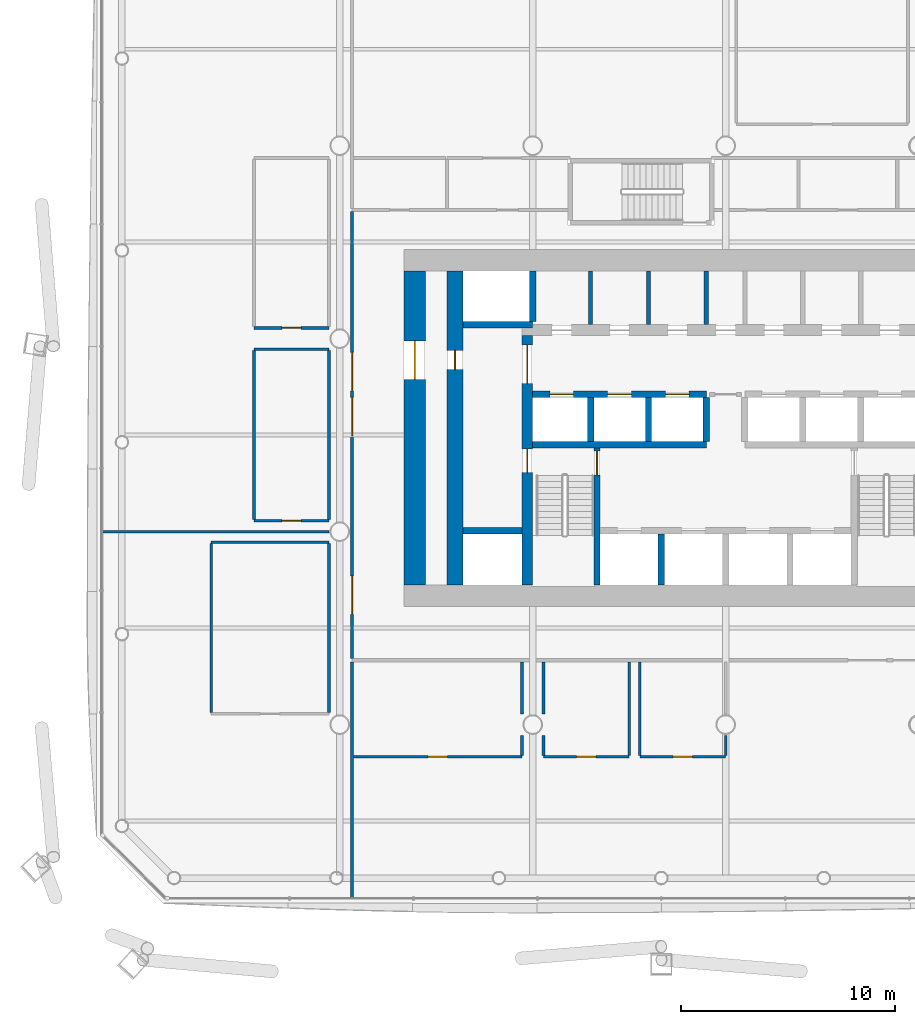
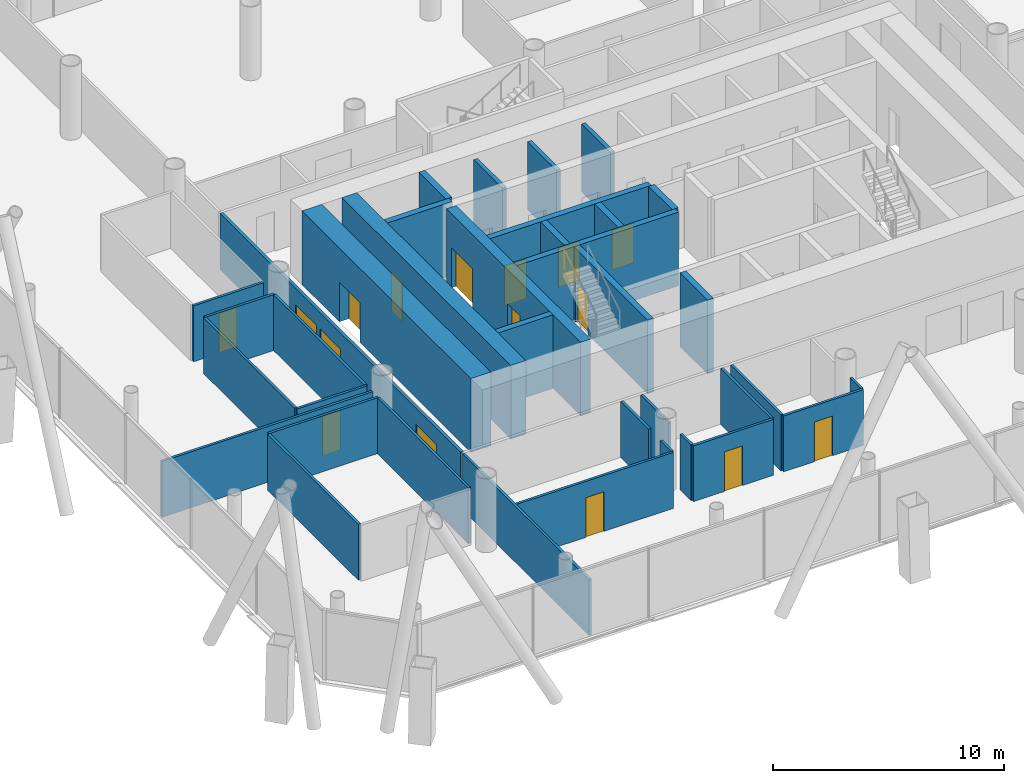
# One storey, part 13 of 21: 37 walls, 16 doors, 16 openings.
"""IFC4 building model written with IfcOpenShell, lengths in metres."""

from ifc_helpers import new_model, si_unit, direction, frame, frame_2d, origin, place, context, subcontext, project, spatial, rectangle, extrude, material, layer, layer_set, type_object, element, fill, save


model = new_model("IFC4")

# Units and contexts
model_context = context("Model", 3, precision=1e-05, world=origin(), true_north=direction((0.0, 1.0)))
body_context = subcontext(model_context, "Body", "Model", "MODEL_VIEW")
ifc_project = project(units=[si_unit("LENGTHUNIT", "METRE"), si_unit("AREAUNIT", "SQUARE_METRE"), si_unit("VOLUMEUNIT", "CUBIC_METRE"), si_unit("PLANEANGLEUNIT", "RADIAN"), si_unit("MASSUNIT", "GRAM", prefix="KILO")], contexts=[model_context])

# Site, building, storey
site_placement = place(None, origin())
site = spatial("IfcSite", under=ifc_project, at=site_placement, CompositionType="ELEMENT")
building_placement = place(site_placement, origin())
building = spatial("IfcBuilding", under=site, at=building_placement, Name="Tskaro Facet Tower", CompositionType="ELEMENT")
storey_placement = place(building_placement, frame((0.0, 0.0, 45.89990234375)))
storey = spatial("IfcBuildingStorey", under=building, at=storey_placement, Name="L10", CompositionType="ELEMENT", Elevation=45.89990234375)

# Walls
ifc_material_1 = material(Name="Concrete C60/75", Category="concrete")
ifc_layer_1 = layer(ifc_material_1, 0.300048828125, Name="Concrete C60/75")
ifc_layer_set_1 = layer_set([ifc_layer_1], Name="Concrete C60/75")
wall_type_1 = type_object("IfcWallType", Name="CORE-SHAFT", PredefinedType="SHEAR", material=ifc_layer_set_1)
wall_1_placement = place(storey_placement, frame((-12.25, -8.949951171875, 0.0), z_axis=(0.0, 0.0, 1.0), x_axis=(1.0, 0.0, 0.0)))
element("IfcWall", 1, at=wall_1_placement, inside=storey, type_object=wall_type_1, Name="Shaft wall W008", PredefinedType="SHEAR", context=body_context, shape_type="SweptSolid", body=[
    extrude(rectangle(XDim=2.75, YDim=0.300048828125, at=frame_2d((1.375, 0.0))), origin(), (0.0, 0.0, 1.0), 3.900146484375),
])
wall_2_placement = place(storey_placement, frame((-9.0, -4.949951171875, 0.0), z_axis=(0.0, 0.0, 1.0), x_axis=(1.0, 0.0, 0.0)))
element("IfcWall", 2, at=wall_2_placement, inside=storey, type_object=wall_type_1, Name="Shaft wall W012", PredefinedType="SHEAR", context=body_context, shape_type="SweptSolid", body=[
    extrude(rectangle(XDim=8.10009765625, YDim=0.300048828125, at=frame_2d((4.050048828125, 0.0))), origin(), (0.0, 0.0, 1.0), 3.900146484375),
])

# Wall, openings, doors
wall_3_placement = place(storey_placement, frame((-9.0, -2.60009765625, 0.0), z_axis=(0.0, 0.0, 1.0), x_axis=(1.0, 0.0, 0.0)))
wall_3 = element("IfcWall", 3, at=wall_3_placement, inside=storey, type_object=wall_type_1, Name="Shaft wall W014", PredefinedType="SHEAR", context=body_context, shape_type="SweptSolid", body=[
    extrude(rectangle(XDim=8.10009765625, YDim=0.300048828125, at=frame_2d((4.050048828125, 0.0))), origin(), (0.0, 0.0, 1.0), 3.900146484375),
])
opening_1_placement = place(wall_3_placement, frame((0.800048828125, 0.0, 0.0)))
opening_1 = element("IfcOpeningElement", 4, at=opening_1_placement, cuts=wall_3, Name="Opening LD-LR1", PredefinedType="OPENING", context=body_context, shape_type="SweptSolid", body=[
    extrude(rectangle(XDim=1.10009765625, YDim=2.10009765625, at=frame_2d((0.550048828125, 1.050048828125))), frame((0.0, 0.159912109375, 0.0), z_axis=(0.0, -1.0, 0.0), x_axis=(1.0, 0.0, 0.0)), (0.0, 0.0, 1.0), 0.320068359375),
])
opening_2_placement = place(wall_3_placement, frame((3.5, 0.0, 0.0)))
opening_2 = element("IfcOpeningElement", 5, at=opening_2_placement, cuts=wall_3, Name="Opening LD-LR2", PredefinedType="OPENING", context=body_context, shape_type="SweptSolid", body=[
    extrude(rectangle(XDim=1.10009765625, YDim=2.10009765625, at=frame_2d((0.550048828125, 1.050048828125))), frame((0.0, 0.159912109375, 0.0), z_axis=(0.0, -1.0, 0.0), x_axis=(1.0, 0.0, 0.0)), (0.0, 0.0, 1.0), 0.320068359375),
])
opening_3_placement = place(wall_3_placement, frame((6.199951171875, 0.0, 0.0)))
opening_3 = element("IfcOpeningElement", 6, at=opening_3_placement, cuts=wall_3, Name="Opening LD-LR3", PredefinedType="OPENING", context=body_context, shape_type="SweptSolid", body=[
    extrude(rectangle(XDim=1.10009765625, YDim=2.10009765625, at=frame_2d((0.550048828125, 1.050048828125))), frame((0.0, 0.159912109375, 0.0), z_axis=(0.0, -1.0, 0.0), x_axis=(1.0, 0.0, 0.0)), (0.0, 0.0, 1.0), 0.320068359375),
])
ifc_material_2 = material(Name="Stainless steel", Category="steel")
door_type_1 = type_object("IfcDoorType", Name="D-LANDING", OperationType="NOTDEFINED", PredefinedType="DOOR", material=ifc_material_2)
door_1_placement = place(opening_1_placement, origin())
door_1 = element("IfcDoor", 7, at=door_1_placement, inside=storey, type_object=door_type_1, Name="Landing door LR1", OperationType="DOUBLE_DOOR_SLIDING", OverallHeight=2.10009765625, OverallWidth=1.10009765625, PredefinedType="DOOR", context=body_context, shape_type="SweptSolid", body=[
    extrude(rectangle(XDim=1.10009765625, YDim=2.10009765625, at=frame_2d((0.550048828125, 1.050048828125))), frame((0.0, 0.02490234375, 0.0), z_axis=(0.0, -1.0, 0.0), x_axis=(1.0, 0.0, 0.0)), (0.0, 0.0, 1.0), 0.050048828125),
])
fill(opening_1, door_1)
door_2_placement = place(opening_2_placement, origin())
door_2 = element("IfcDoor", 8, at=door_2_placement, inside=storey, type_object=door_type_1, Name="Landing door LR2", OperationType="DOUBLE_DOOR_SLIDING", OverallHeight=2.10009765625, OverallWidth=1.10009765625, PredefinedType="DOOR", context=body_context, shape_type="SweptSolid", body=[
    extrude(rectangle(XDim=1.10009765625, YDim=2.10009765625, at=frame_2d((0.550048828125, 1.050048828125))), frame((0.0, 0.02490234375, 0.0), z_axis=(0.0, -1.0, 0.0), x_axis=(1.0, 0.0, 0.0)), (0.0, 0.0, 1.0), 0.050048828125),
])
fill(opening_2, door_2)
door_3_placement = place(opening_3_placement, origin())
door_3 = element("IfcDoor", 9, at=door_3_placement, inside=storey, type_object=door_type_1, Name="Landing door LR3", OperationType="DOUBLE_DOOR_SLIDING", OverallHeight=2.10009765625, OverallWidth=1.10009765625, PredefinedType="DOOR", context=body_context, shape_type="SweptSolid", body=[
    extrude(rectangle(XDim=1.10009765625, YDim=2.10009765625, at=frame_2d((0.550048828125, 1.050048828125))), frame((0.0, 0.02490234375, 0.0), z_axis=(0.0, -1.0, 0.0), x_axis=(1.0, 0.0, 0.0)), (0.0, 0.0, 1.0), 0.050048828125),
])
fill(opening_3, door_3)

# Walls
wall_4_placement = place(storey_placement, frame((-9.0, 0.64990234375, 0.0), z_axis=(0.0, 0.0, 1.0), x_axis=(-1.0, 0.0, 0.0)))
element("IfcWall", 10, at=wall_4_placement, inside=storey, type_object=wall_type_1, Name="Shaft wall W021", PredefinedType="SHEAR", context=body_context, shape_type="SweptSolid", body=[
    extrude(rectangle(XDim=3.25, YDim=0.300048828125, at=frame_2d((1.625, 0.0))), origin(), (0.0, 0.0, 1.0), 3.900146484375),
])
wall_5_placement = place(storey_placement, frame((-9.0, 0.800048828125, 0.0), z_axis=(0.0, 0.0, 1.0), x_axis=(0.0, 1.0, 0.0)))
element("IfcWall", 11, at=wall_5_placement, inside=storey, type_object=wall_type_1, Name="Shaft wall W049", PredefinedType="SHEAR", context=body_context, shape_type="SweptSolid", body=[
    extrude(rectangle(XDim=2.349853515625, YDim=0.300048828125, at=frame_2d((1.1748046875, 0.0))), origin(), (0.0, 0.0, 1.0), 3.900146484375),
])
wall_6_placement = place(storey_placement, frame((-6.300048828125, -4.800048828125, 0.0), z_axis=(0.0, 0.0, 1.0), x_axis=(0.0, 1.0, 0.0)))
element("IfcWall", 12, at=wall_6_placement, inside=storey, type_object=wall_type_1, Name="Shaft wall W053", PredefinedType="SHEAR", context=body_context, shape_type="SweptSolid", body=[
    extrude(rectangle(XDim=2.050048828125, YDim=0.300048828125, at=frame_2d((1.02490234375, 0.0))), origin(), (0.0, 0.0, 1.0), 3.900146484375),
])

# Wall, opening, door
wall_7_placement = place(storey_placement, frame((-6.0, -11.5, 0.0), z_axis=(0.0, 0.0, 1.0), x_axis=(0.0, 1.0, 0.0)))
wall_7 = element("IfcWall", 13, at=wall_7_placement, inside=storey, type_object=wall_type_1, Name="Shaft wall W055", PredefinedType="SHEAR", context=body_context, shape_type="SweptSolid", body=[
    extrude(rectangle(XDim=6.39990234375, YDim=0.300048828125, at=frame_2d((3.199951171875, 0.0))), origin(), (0.0, 0.0, 1.0), 3.900146484375),
])
opening_4_placement = place(wall_7_placement, frame((5.14990234375, 0.0, 0.0)))
opening_4 = element("IfcOpeningElement", 14, at=opening_4_placement, cuts=wall_7, Name="Opening ST-1-D1", PredefinedType="OPENING", context=body_context, shape_type="SweptSolid", body=[
    extrude(rectangle(XDim=1.10009765625, YDim=2.10009765625, at=frame_2d((0.550048828125, 1.050048828125))), frame((0.0, 0.159912109375, 0.0), z_axis=(0.0, -1.0, 0.0), x_axis=(1.0, 0.0, 0.0)), (0.0, 0.0, 1.0), 0.320068359375),
])
ifc_material_3 = material(Name="Steel", Category="steel")
door_type_2 = type_object("IfcDoorType", Name="D-STAIR", OperationType="NOTDEFINED", PredefinedType="DOOR", material=ifc_material_3)
door_4_placement = place(opening_4_placement, origin())
door_4 = element("IfcDoor", 15, at=door_4_placement, inside=storey, type_object=door_type_2, Name="Stair door 1", OperationType="SINGLE_SWING_LEFT", OverallHeight=2.10009765625, OverallWidth=1.10009765625, PredefinedType="DOOR", context=body_context, shape_type="SweptSolid", body=[
    extrude(rectangle(XDim=1.10009765625, YDim=2.10009765625, at=frame_2d((0.550048828125, 1.050048828125))), frame((0.0, 0.02490234375, 0.0), z_axis=(0.0, -1.0, 0.0), x_axis=(1.0, 0.0, 0.0)), (0.0, 0.0, 1.0), 0.050048828125),
])
fill(opening_4, door_4)

# Walls
wall_8_placement = place(storey_placement, frame((-3.60009765625, -4.800048828125, 0.0), z_axis=(0.0, 0.0, 1.0), x_axis=(0.0, 1.0, 0.0)))
element("IfcWall", 16, at=wall_8_placement, inside=storey, type_object=wall_type_1, Name="Shaft wall W058", PredefinedType="SHEAR", context=body_context, shape_type="SweptSolid", body=[
    extrude(rectangle(XDim=2.050048828125, YDim=0.300048828125, at=frame_2d((1.02490234375, 0.0))), origin(), (0.0, 0.0, 1.0), 3.900146484375),
])
wall_9_placement = place(storey_placement, frame((-3.0, -11.5, 0.0), z_axis=(0.0, 0.0, 1.0), x_axis=(0.0, 1.0, 0.0)))
element("IfcWall", 17, at=wall_9_placement, inside=storey, type_object=wall_type_1, Name="Shaft wall W060", PredefinedType="SHEAR", context=body_context, shape_type="SweptSolid", body=[
    extrude(rectangle(XDim=2.39990234375, YDim=0.300048828125, at=frame_2d((1.199951171875, 0.0))), origin(), (0.0, 0.0, 1.0), 3.900146484375),
])
wall_10_placement = place(storey_placement, frame((-0.89990234375, -4.800048828125, 0.0), z_axis=(0.0, 0.0, 1.0), x_axis=(0.0, 1.0, 0.0)))
element("IfcWall", 18, at=wall_10_placement, inside=storey, type_object=wall_type_1, Name="Shaft wall W061", PredefinedType="SHEAR", context=body_context, shape_type="SweptSolid", body=[
    extrude(rectangle(XDim=2.050048828125, YDim=0.300048828125, at=frame_2d((1.02490234375, 0.0))), origin(), (0.0, 0.0, 1.0), 3.900146484375),
])
ifc_material_4 = material(Name="Concrete C20/25", Category="concrete")
ifc_layer_2 = layer(ifc_material_4, 0.199951171875, Name="Concrete C20/25")
ifc_layer_set_2 = layer_set([ifc_layer_2], Name="Concrete C20/25")
wall_type_2 = type_object("IfcWallType", Name="CORE-WALL", PredefinedType="SOLIDWALL", material=ifc_layer_set_2)
for number, where, z_axis, x_axis, name in (
    (19, (-6.300048828125, 0.64990234375, 0.0), (0.0, 0.0, 1.0), (0.0, 1.0, 0.0), "Core room wall W054"),
    (20, (-3.60009765625, 0.64990234375, 0.0), (0.0, 0.0, 1.0), (0.0, 1.0, 0.0), "Core room wall W059"),
    (21, (-0.89990234375, 0.64990234375, 0.0), (0.0, 0.0, 1.0), (0.0, 1.0, 0.0), "Core room wall W062"),
):
    element("IfcWall", number, at=place(storey_placement, frame(where, z_axis=z_axis, x_axis=x_axis)), inside=storey, type_object=wall_type_2, Name=name, PredefinedType="SOLIDWALL", context=body_context, shape_type="SweptSolid", body=[
        extrude(rectangle(XDim=2.5, YDim=0.199951171875, at=frame_2d((1.25, 0.0))), origin(), (0.0, 0.0, 1.0), 3.60009765625),
    ])

# Wall, opening, door
ifc_layer_3 = layer(ifc_material_1, 1.0, Name="Concrete C60/75")
ifc_layer_set_3 = layer_set([ifc_layer_3], Name="Concrete C60/75")
wall_type_3 = type_object("IfcWallType", Name="Core wall 1000", PredefinedType="SHEAR", material=ifc_layer_set_3)
wall_11_placement = place(storey_placement, frame((-14.5, -11.5, 0.0), z_axis=(0.0, 0.0, 1.0), x_axis=(0.0, 1.0, 0.0)))
wall_11 = element("IfcWall", 22, at=wall_11_placement, inside=storey, type_object=wall_type_3, Name="Core wall CW-Z1W", PredefinedType="SHEAR", context=body_context, shape_type="SweptSolid", body=[
    extrude(rectangle(XDim=14.64990234375, YDim=1.0, at=frame_2d((7.324951171875, 0.0))), origin(), (0.0, 0.0, 1.0), 3.900146484375),
])
opening_5_placement = place(wall_11_placement, frame((9.60009765625, 0.0, 0.0)))
opening_5 = element("IfcOpeningElement", 23, at=opening_5_placement, cuts=wall_11, Name="Opening T3-D17", PredefinedType="OPENING", context=body_context, shape_type="SweptSolid", body=[
    extrude(rectangle(XDim=1.800048828125, YDim=2.10009765625, at=frame_2d((0.89990234375, 1.050048828125))), frame((0.0, 0.510009765625, 0.0), z_axis=(0.0, -1.0, 0.0), x_axis=(1.0, 0.0, 0.0)), (0.0, 0.0, 1.0), 1.02001953125),
])
door_type_3 = type_object("IfcDoorType", Name="D-CORE-PAIR", OperationType="NOTDEFINED", PredefinedType="DOOR", material=ifc_material_3)
door_5_placement = place(opening_5_placement, origin())
door_5 = element("IfcDoor", 24, at=door_5_placement, inside=storey, type_object=door_type_3, Name="Door T3-D17", OperationType="DOUBLE_DOOR_SINGLE_SWING", OverallHeight=2.10009765625, OverallWidth=1.800048828125, PredefinedType="DOOR", context=body_context, shape_type="SweptSolid", body=[
    extrude(rectangle(XDim=1.800048828125, YDim=2.10009765625, at=frame_2d((0.89990234375, 1.050048828125))), frame((0.0, 0.02490234375, 0.0), z_axis=(0.0, -1.0, 0.0), x_axis=(1.0, 0.0, 0.0)), (0.0, 0.0, 1.0), 0.050048828125),
])
fill(opening_5, door_5)

# Wall, openings, doors
ifc_material_5 = material(Name="Concrete C40/50", Category="concrete")
ifc_layer_4 = layer(ifc_material_5, 0.5, Name="Concrete C40/50")
ifc_layer_set_4 = layer_set([ifc_layer_4], Name="Concrete C40/50")
wall_type_4 = type_object("IfcWallType", Name="Core wall 500", PredefinedType="SHEAR", material=ifc_layer_set_4)
wall_12_placement = place(storey_placement, frame((-9.25, -11.5, 0.0), z_axis=(0.0, 0.0, 1.0), x_axis=(0.0, 1.0, 0.0)))
wall_12 = element("IfcWall", 25, at=wall_12_placement, inside=storey, type_object=wall_type_4, Name="Core wall CW-Z3W", PredefinedType="SHEAR", context=body_context, shape_type="SweptSolid", body=[
    extrude(rectangle(XDim=11.64990234375, YDim=0.5, at=frame_2d((5.824951171875, 0.0))), origin(), (0.0, 0.0, 1.0), 3.900146484375),
])
opening_6_placement = place(wall_12_placement, frame((9.39990234375, 0.0, 0.0)))
opening_6 = element("IfcOpeningElement", 26, at=opening_6_placement, cuts=wall_12, Name="Opening T3-D15", PredefinedType="OPENING", context=body_context, shape_type="SweptSolid", body=[
    extrude(rectangle(XDim=1.800048828125, YDim=2.10009765625, at=frame_2d((0.89990234375, 1.050048828125))), frame((0.0, 0.260009765625, 0.0), z_axis=(0.0, -1.0, 0.0), x_axis=(1.0, 0.0, 0.0)), (0.0, 0.0, 1.0), 0.52001953125),
])
opening_7_placement = place(wall_12_placement, frame((5.25, 0.0, 0.0)))
opening_7 = element("IfcOpeningElement", 27, at=opening_7_placement, cuts=wall_12, Name="Opening ST-1-D2", PredefinedType="OPENING", context=body_context, shape_type="SweptSolid", body=[
    extrude(rectangle(XDim=1.10009765625, YDim=2.10009765625, at=frame_2d((0.550048828125, 1.050048828125))), frame((0.0, 0.260009765625, 0.0), z_axis=(0.0, -1.0, 0.0), x_axis=(1.0, 0.0, 0.0)), (0.0, 0.0, 1.0), 0.52001953125),
])
door_6_placement = place(opening_6_placement, origin())
door_6 = element("IfcDoor", 28, at=door_6_placement, inside=storey, type_object=door_type_3, Name="Door T3-D15", OperationType="DOUBLE_DOOR_SINGLE_SWING", OverallHeight=2.10009765625, OverallWidth=1.800048828125, PredefinedType="DOOR", context=body_context, shape_type="SweptSolid", body=[
    extrude(rectangle(XDim=1.800048828125, YDim=2.10009765625, at=frame_2d((0.89990234375, 1.050048828125))), frame((0.0, 0.02490234375, 0.0), z_axis=(0.0, -1.0, 0.0), x_axis=(1.0, 0.0, 0.0)), (0.0, 0.0, 1.0), 0.050048828125),
])
fill(opening_6, door_6)
door_7_placement = place(opening_7_placement, origin())
door_7 = element("IfcDoor", 29, at=door_7_placement, inside=storey, type_object=door_type_2, Name="Stair door 1 west", OperationType="SINGLE_SWING_LEFT", OverallHeight=2.10009765625, OverallWidth=1.10009765625, PredefinedType="DOOR", context=body_context, shape_type="SweptSolid", body=[
    extrude(rectangle(XDim=1.10009765625, YDim=2.10009765625, at=frame_2d((0.550048828125, 1.050048828125))), frame((0.0, 0.02490234375, 0.0), z_axis=(0.0, -1.0, 0.0), x_axis=(1.0, 0.0, 0.0)), (0.0, 0.0, 1.0), 0.050048828125),
])
fill(opening_7, door_7)

# Wall, opening, door
ifc_material_6 = material(Name="Concrete C50/60", Category="concrete")
ifc_layer_5 = layer(ifc_material_6, 0.75, Name="Concrete C50/60")
ifc_layer_set_5 = layer_set([ifc_layer_5], Name="Concrete C50/60")
wall_type_5 = type_object("IfcWallType", Name="Core wall 750", PredefinedType="SHEAR", material=ifc_layer_set_5)
wall_13_placement = place(storey_placement, frame((-12.625, -11.5, 0.0), z_axis=(0.0, 0.0, 1.0), x_axis=(0.0, 1.0, 0.0)))
wall_13 = element("IfcWall", 30, at=wall_13_placement, inside=storey, type_object=wall_type_5, Name="Core wall CW-Z2W", PredefinedType="SHEAR", context=body_context, shape_type="SweptSolid", body=[
    extrude(rectangle(XDim=14.64990234375, YDim=0.75, at=frame_2d((7.324951171875, 0.0))), origin(), (0.0, 0.0, 1.0), 3.900146484375),
])
opening_8_placement = place(wall_13_placement, frame((10.050048828125, 0.0, 0.0)))
opening_8 = element("IfcOpeningElement", 31, at=opening_8_placement, cuts=wall_13, Name="Opening T3-D18", PredefinedType="OPENING", context=body_context, shape_type="SweptSolid", body=[
    extrude(rectangle(XDim=0.89990234375, YDim=2.10009765625, at=frame_2d((0.449951171875, 1.050048828125))), frame((0.0, 0.385009765625, 0.0), z_axis=(0.0, -1.0, 0.0), x_axis=(1.0, 0.0, 0.0)), (0.0, 0.0, 1.0), 0.77001953125),
])
ifc_material_7 = material(Name="Timber", Category="wood")
door_type_4 = type_object("IfcDoorType", Name="D-ROOM", OperationType="NOTDEFINED", PredefinedType="DOOR", material=ifc_material_7)
door_8_placement = place(opening_8_placement, origin())
door_8 = element("IfcDoor", 32, at=door_8_placement, inside=storey, type_object=door_type_4, Name="Door T3-D18", OperationType="SINGLE_SWING_LEFT", OverallHeight=2.10009765625, OverallWidth=0.89990234375, PredefinedType="DOOR", context=body_context, shape_type="SweptSolid", body=[
    extrude(rectangle(XDim=0.89990234375, YDim=2.10009765625, at=frame_2d((0.449951171875, 1.050048828125))), frame((0.0, 0.02490234375, 0.0), z_axis=(0.0, -1.0, 0.0), x_axis=(1.0, 0.0, 0.0)), (0.0, 0.0, 1.0), 0.050048828125),
])
fill(opening_8, door_8)

ifc_material_8 = material(Name="Gypsum board on steel studs", Category="steel")
ifc_layer_6 = layer(ifc_material_8, 0.125, Name="Gypsum board on steel studs")
ifc_layer_set_6 = layer_set([ifc_layer_6], Name="Gypsum board on steel studs")
wall_type_6 = type_object("IfcWallType", Name="PART", PredefinedType="PARTITIONING", material=ifc_layer_set_6)
wall_14_placement = place(storey_placement, frame((-17.362548828125, -19.5, 0.0), z_axis=(0.0, 0.0, 1.0), x_axis=(1.0, 0.0, 0.0)))
wall_14 = element("IfcWall", 33, at=wall_14_placement, inside=storey, type_object=wall_type_6, Name="Partition W001", PredefinedType="PARTITIONING", context=body_context, shape_type="SweptSolid", body=[
    extrude(rectangle(XDim=7.862548828125, YDim=0.125, at=frame_2d((3.93115234375, 0.0))), origin(), (0.0, 0.0, 1.0), 2.960205078125),
])
opening_9_placement = place(wall_14_placement, frame((3.481201171875, 0.0, 0.0)))
opening_9 = element("IfcOpeningElement", 34, at=opening_9_placement, cuts=wall_14, Name="Opening T3-D01", PredefinedType="OPENING", context=body_context, shape_type="SweptSolid", body=[
    extrude(rectangle(XDim=0.89990234375, YDim=2.10009765625, at=frame_2d((0.449951171875, 1.050048828125))), frame((0.0, 0.072509765625, 0.0), z_axis=(0.0, -1.0, 0.0), x_axis=(1.0, 0.0, 0.0)), (0.0, 0.0, 1.0), 0.14501953125),
])
door_9_placement = place(opening_9_placement, origin())
door_9 = element("IfcDoor", 35, at=door_9_placement, inside=storey, type_object=door_type_4, Name="Door T3-D01", OperationType="SINGLE_SWING_LEFT", OverallHeight=2.10009765625, OverallWidth=0.89990234375, PredefinedType="DOOR", context=body_context, shape_type="SweptSolid", body=[
    extrude(rectangle(XDim=0.89990234375, YDim=2.10009765625, at=frame_2d((0.449951171875, 1.050048828125))), frame((0.0, 0.02490234375, 0.0), z_axis=(0.0, -1.0, 0.0), x_axis=(1.0, 0.0, 0.0)), (0.0, 0.0, 1.0), 0.050048828125),
])
fill(opening_9, door_9)

wall_15_placement = place(storey_placement, frame((-8.5, -19.5, 0.0), z_axis=(0.0, 0.0, 1.0), x_axis=(1.0, 0.0, 0.0)))
wall_15 = element("IfcWall", 36, at=wall_15_placement, inside=storey, type_object=wall_type_6, Name="Partition W002", PredefinedType="PARTITIONING", context=body_context, shape_type="SweptSolid", body=[
    extrude(rectangle(XDim=4.0, YDim=0.125, at=frame_2d((2.0, 0.0))), origin(), (0.0, 0.0, 1.0), 2.960205078125),
])
opening_10_placement = place(wall_15_placement, frame((1.550048828125, 0.0, 0.0)))
opening_10 = element("IfcOpeningElement", 37, at=opening_10_placement, cuts=wall_15, Name="Opening T3-D02", PredefinedType="OPENING", context=body_context, shape_type="SweptSolid", body=[
    extrude(rectangle(XDim=0.89990234375, YDim=2.10009765625, at=frame_2d((0.449951171875, 1.050048828125))), frame((0.0, 0.072509765625, 0.0), z_axis=(0.0, -1.0, 0.0), x_axis=(1.0, 0.0, 0.0)), (0.0, 0.0, 1.0), 0.14501953125),
])
door_10_placement = place(opening_10_placement, origin())
door_10 = element("IfcDoor", 38, at=door_10_placement, inside=storey, type_object=door_type_4, Name="Door T3-D02", OperationType="SINGLE_SWING_LEFT", OverallHeight=2.10009765625, OverallWidth=0.89990234375, PredefinedType="DOOR", context=body_context, shape_type="SweptSolid", body=[
    extrude(rectangle(XDim=0.89990234375, YDim=2.10009765625, at=frame_2d((0.449951171875, 1.050048828125))), frame((0.0, 0.02490234375, 0.0), z_axis=(0.0, -1.0, 0.0), x_axis=(1.0, 0.0, 0.0)), (0.0, 0.0, 1.0), 0.050048828125),
])
fill(opening_10, door_10)

wall_16_placement = place(storey_placement, frame((-4.0, -19.5, 0.0), z_axis=(0.0, 0.0, 1.0), x_axis=(1.0, 0.0, 0.0)))
wall_16 = element("IfcWall", 39, at=wall_16_placement, inside=storey, type_object=wall_type_6, Name="Partition W003", PredefinedType="PARTITIONING", context=body_context, shape_type="SweptSolid", body=[
    extrude(rectangle(XDim=4.0, YDim=0.125, at=frame_2d((2.0, 0.0))), origin(), (0.0, 0.0, 1.0), 2.960205078125),
])
opening_11_placement = place(wall_16_placement, frame((1.550048828125, 0.0, 0.0)))
opening_11 = element("IfcOpeningElement", 40, at=opening_11_placement, cuts=wall_16, Name="Opening T3-D03", PredefinedType="OPENING", context=body_context, shape_type="SweptSolid", body=[
    extrude(rectangle(XDim=0.89990234375, YDim=2.10009765625, at=frame_2d((0.449951171875, 1.050048828125))), frame((0.0, 0.072509765625, 0.0), z_axis=(0.0, -1.0, 0.0), x_axis=(1.0, 0.0, 0.0)), (0.0, 0.0, 1.0), 0.14501953125),
])
door_11_placement = place(opening_11_placement, origin())
door_11 = element("IfcDoor", 41, at=door_11_placement, inside=storey, type_object=door_type_4, Name="Door T3-D03", OperationType="SINGLE_SWING_LEFT", OverallHeight=2.10009765625, OverallWidth=0.89990234375, PredefinedType="DOOR", context=body_context, shape_type="SweptSolid", body=[
    extrude(rectangle(XDim=0.89990234375, YDim=2.10009765625, at=frame_2d((0.449951171875, 1.050048828125))), frame((0.0, 0.02490234375, 0.0), z_axis=(0.0, -1.0, 0.0), x_axis=(1.0, 0.0, 0.0)), (0.0, 0.0, 1.0), 0.050048828125),
])
fill(opening_11, door_11)

# Walls
wall_17_placement = place(storey_placement, frame((-24.0, -9.5, 0.0), z_axis=(0.0, 0.0, 1.0), x_axis=(1.0, 0.0, 0.0)))
element("IfcWall", 42, at=wall_17_placement, inside=storey, type_object=wall_type_6, Name="Partition W006", PredefinedType="PARTITIONING", context=body_context, shape_type="SweptSolid", body=[
    extrude(rectangle(XDim=5.5, YDim=0.125, at=frame_2d((2.75, 0.0))), origin(), (0.0, 0.0, 1.0), 2.960205078125),
])
wall_18_placement = place(storey_placement, frame((-29.056884765625, -9.0, 0.0), z_axis=(0.0, 0.0, 1.0), x_axis=(1.0, 0.0, 0.0)))
element("IfcWall", 43, at=wall_18_placement, inside=storey, type_object=wall_type_6, Name="Partition W007", PredefinedType="PARTITIONING", context=body_context, shape_type="SweptSolid", body=[
    extrude(rectangle(XDim=10.556884765625, YDim=0.125, at=frame_2d((5.2783203125, 0.0))), origin(), (0.0, 0.0, 1.0), 2.960205078125),
])

# Wall, opening, door
wall_19_placement = place(storey_placement, frame((-22.0, -8.5, 0.0), z_axis=(0.0, 0.0, 1.0), x_axis=(1.0, 0.0, 0.0)))
wall_19 = element("IfcWall", 44, at=wall_19_placement, inside=storey, type_object=wall_type_6, Name="Partition W011", PredefinedType="PARTITIONING", context=body_context, shape_type="SweptSolid", body=[
    extrude(rectangle(XDim=3.5, YDim=0.125, at=frame_2d((1.75, 0.0))), origin(), (0.0, 0.0, 1.0), 2.960205078125),
])
opening_12_placement = place(wall_19_placement, frame((1.300048828125, 0.0, 0.0)))
opening_12 = element("IfcOpeningElement", 45, at=opening_12_placement, cuts=wall_19, Name="Opening T3-D10", PredefinedType="OPENING", context=body_context, shape_type="SweptSolid", body=[
    extrude(rectangle(XDim=0.89990234375, YDim=2.10009765625, at=frame_2d((0.449951171875, 1.050048828125))), frame((0.0, 0.072509765625, 0.0), z_axis=(0.0, -1.0, 0.0), x_axis=(1.0, 0.0, 0.0)), (0.0, 0.0, 1.0), 0.14501953125),
])
door_12_placement = place(opening_12_placement, origin())
door_12 = element("IfcDoor", 46, at=door_12_placement, inside=storey, type_object=door_type_4, Name="Door T3-D10", OperationType="SINGLE_SWING_LEFT", OverallHeight=2.10009765625, OverallWidth=0.89990234375, PredefinedType="DOOR", context=body_context, shape_type="SweptSolid", body=[
    extrude(rectangle(XDim=0.89990234375, YDim=2.10009765625, at=frame_2d((0.449951171875, 1.050048828125))), frame((0.0, 0.02490234375, 0.0), z_axis=(0.0, -1.0, 0.0), x_axis=(1.0, 0.0, 0.0)), (0.0, 0.0, 1.0), 0.050048828125),
])
fill(opening_12, door_12)

# Wall
wall_20_placement = place(storey_placement, frame((-22.0, -0.5, 0.0), z_axis=(0.0, 0.0, 1.0), x_axis=(1.0, 0.0, 0.0)))
element("IfcWall", 47, at=wall_20_placement, inside=storey, type_object=wall_type_6, Name="Partition W017", PredefinedType="PARTITIONING", context=body_context, shape_type="SweptSolid", body=[
    extrude(rectangle(XDim=3.5, YDim=0.125, at=frame_2d((1.75, 0.0))), origin(), (0.0, 0.0, 1.0), 2.960205078125),
])

# Wall, opening, door
wall_21_placement = place(storey_placement, frame((-22.0, 0.5, 0.0), z_axis=(0.0, 0.0, 1.0), x_axis=(1.0, 0.0, 0.0)))
wall_21 = element("IfcWall", 48, at=wall_21_placement, inside=storey, type_object=wall_type_6, Name="Partition W019", PredefinedType="PARTITIONING", context=body_context, shape_type="SweptSolid", body=[
    extrude(rectangle(XDim=3.5, YDim=0.125, at=frame_2d((1.75, 0.0))), origin(), (0.0, 0.0, 1.0), 2.960205078125),
])
opening_13_placement = place(wall_21_placement, frame((1.300048828125, 0.0, 0.0)))
opening_13 = element("IfcOpeningElement", 49, at=opening_13_placement, cuts=wall_21, Name="Opening T3-D28", PredefinedType="OPENING", context=body_context, shape_type="SweptSolid", body=[
    extrude(rectangle(XDim=0.89990234375, YDim=2.10009765625, at=frame_2d((0.449951171875, 1.050048828125))), frame((0.0, 0.072509765625, 0.0), z_axis=(0.0, -1.0, 0.0), x_axis=(1.0, 0.0, 0.0)), (0.0, 0.0, 1.0), 0.14501953125),
])
door_13_placement = place(opening_13_placement, origin())
door_13 = element("IfcDoor", 50, at=door_13_placement, inside=storey, type_object=door_type_4, Name="Door T3-D28", OperationType="SINGLE_SWING_LEFT", OverallHeight=2.10009765625, OverallWidth=0.89990234375, PredefinedType="DOOR", context=body_context, shape_type="SweptSolid", body=[
    extrude(rectangle(XDim=0.89990234375, YDim=2.10009765625, at=frame_2d((0.449951171875, 1.050048828125))), frame((0.0, 0.02490234375, 0.0), z_axis=(0.0, -1.0, 0.0), x_axis=(1.0, 0.0, 0.0)), (0.0, 0.0, 1.0), 0.050048828125),
])
fill(opening_13, door_13)

# Walls
for number, where, z_axis, x_axis, name in (
    (51, (-24.0, -17.4375, 0.0), (0.0, 0.0, 1.0), (0.0, 1.0, 0.0), "Partition W037"),
    (52, (-22.0, -8.4375, 0.0), (0.0, 0.0, 1.0), (0.0, 1.0, 0.0), "Partition W038"),
    (53, (-18.5, -17.4375, 0.0), (0.0, 0.0, 1.0), (0.0, 1.0, 0.0), "Partition W040"),
    (54, (-18.5, -8.4375, 0.0), (0.0, 0.0, 1.0), (0.0, 1.0, 0.0), "Partition W041"),
):
    element("IfcWall", number, at=place(storey_placement, frame(where, z_axis=z_axis, x_axis=x_axis)), inside=storey, type_object=wall_type_6, Name=name, PredefinedType="PARTITIONING", context=body_context, shape_type="SweptSolid", body=[
        extrude(rectangle(XDim=7.875, YDim=0.125, at=frame_2d((3.9375, 0.0))), origin(), (0.0, 0.0, 1.0), 2.960205078125),
    ])
wall_22_placement = place(storey_placement, frame((-17.425048828125, -26.056884765625, 0.0), z_axis=(0.0, 0.0, 1.0), x_axis=(0.0, 1.0, 0.0)))
element("IfcWall", 55, at=wall_22_placement, inside=storey, type_object=wall_type_6, Name="Partition W043", PredefinedType="PARTITIONING", context=body_context, shape_type="SweptSolid", body=[
    extrude(rectangle(XDim=10.98193359375, YDim=0.125, at=frame_2d((5.490966796875, 0.0))), origin(), (0.0, 0.0, 1.0), 2.960205078125),
])
wall_23_placement = place(storey_placement, frame((-9.5, -19.4375, 0.0), z_axis=(0.0, 0.0, 1.0), x_axis=(0.0, 1.0, 0.0)))
element("IfcWall", 56, at=wall_23_placement, inside=storey, type_object=wall_type_6, Name="Partition W047", PredefinedType="PARTITIONING", context=body_context, shape_type="SweptSolid", body=[
    extrude(rectangle(XDim=0.9375, YDim=0.125, at=frame_2d((0.46875, 0.0))), origin(), (0.0, 0.0, 1.0), 2.960205078125),
])
wall_24_placement = place(storey_placement, frame((-9.5, -17.5, 0.0), z_axis=(0.0, 0.0, 1.0), x_axis=(0.0, 1.0, 0.0)))
element("IfcWall", 57, at=wall_24_placement, inside=storey, type_object=wall_type_6, Name="Partition W048", PredefinedType="PARTITIONING", context=body_context, shape_type="SweptSolid", body=[
    extrude(rectangle(XDim=2.425048828125, YDim=0.125, at=frame_2d((1.21240234375, 0.0))), origin(), (0.0, 0.0, 1.0), 2.960205078125),
])
wall_25_placement = place(storey_placement, frame((-8.5, -19.4375, 0.0), z_axis=(0.0, 0.0, 1.0), x_axis=(0.0, 1.0, 0.0)))
element("IfcWall", 58, at=wall_25_placement, inside=storey, type_object=wall_type_6, Name="Partition W050", PredefinedType="PARTITIONING", context=body_context, shape_type="SweptSolid", body=[
    extrude(rectangle(XDim=0.9375, YDim=0.125, at=frame_2d((0.46875, 0.0))), origin(), (0.0, 0.0, 1.0), 2.960205078125),
])
wall_26_placement = place(storey_placement, frame((-8.5, -17.5, 0.0), z_axis=(0.0, 0.0, 1.0), x_axis=(0.0, 1.0, 0.0)))
element("IfcWall", 59, at=wall_26_placement, inside=storey, type_object=wall_type_6, Name="Partition W051", PredefinedType="PARTITIONING", context=body_context, shape_type="SweptSolid", body=[
    extrude(rectangle(XDim=2.425048828125, YDim=0.125, at=frame_2d((1.21240234375, 0.0))), origin(), (0.0, 0.0, 1.0), 2.960205078125),
])
for number, where, z_axis, x_axis, name in (
    (60, (-4.5, -19.4375, 0.0), (0.0, 0.0, 1.0), (0.0, 1.0, 0.0), "Partition W056"),
    (61, (-4.0, -19.4375, 0.0), (0.0, 0.0, 1.0), (0.0, 1.0, 0.0), "Partition W057"),
):
    element("IfcWall", number, at=place(storey_placement, frame(where, z_axis=z_axis, x_axis=x_axis)), inside=storey, type_object=wall_type_6, Name=name, PredefinedType="PARTITIONING", context=body_context, shape_type="SweptSolid", body=[
        extrude(rectangle(XDim=4.362548828125, YDim=0.125, at=frame_2d((2.18115234375, 0.0))), origin(), (0.0, 0.0, 1.0), 2.960205078125),
    ])
wall_27_placement = place(storey_placement, frame((0.0, -19.4375, 0.0), z_axis=(0.0, 0.0, 1.0), x_axis=(0.0, 1.0, 0.0)))
element("IfcWall", 62, at=wall_27_placement, inside=storey, type_object=wall_type_6, Name="Partition W064", PredefinedType="PARTITIONING", context=body_context, shape_type="SweptSolid", body=[
    extrude(rectangle(XDim=0.9375, YDim=0.125, at=frame_2d((0.46875, 0.0))), origin(), (0.0, 0.0, 1.0), 2.960205078125),
])

# Wall, openings, doors
ifc_layer_7 = layer(ifc_material_8, 0.14990234375, Name="Gypsum board on steel studs")
ifc_layer_set_7 = layer_set([ifc_layer_7], Name="Gypsum board on steel studs")
wall_type_7 = type_object("IfcWallType", Name="PART-CORR", PredefinedType="PARTITIONING", material=ifc_layer_set_7)
wall_28_placement = place(storey_placement, frame((-17.425048828125, 5.925048828125, 0.0), z_axis=(0.0, 0.0, 1.0), x_axis=(0.0, -1.0, 0.0)))
wall_28 = element("IfcWall", 63, at=wall_28_placement, inside=storey, type_object=wall_type_7, Name="Corridor wall W044", PredefinedType="PARTITIONING", context=body_context, shape_type="SweptSolid", body=[
    extrude(rectangle(XDim=20.85009765625, YDim=0.14990234375, at=frame_2d((10.425048828125, 0.0))), origin(), (0.0, 0.0, 1.0), 2.960205078125),
])
opening_14_placement = place(wall_28_placement, frame((16.987548828125, 0.0, 0.0)))
opening_14 = element("IfcOpeningElement", 64, at=opening_14_placement, cuts=wall_28, Name="Opening T3-D07", PredefinedType="OPENING", context=body_context, shape_type="SweptSolid", body=[
    extrude(rectangle(XDim=1.800048828125, YDim=2.10009765625, at=frame_2d((0.89990234375, 1.050048828125))), frame((0.0, 0.0849609375, 0.0), z_axis=(0.0, -1.0, 0.0), x_axis=(1.0, 0.0, 0.0)), (0.0, 0.0, 1.0), 0.169921875),
])
opening_15_placement = place(wall_28_placement, frame((6.5625, 0.0, 0.0)))
opening_15 = element("IfcOpeningElement", 65, at=opening_15_placement, cuts=wall_28, Name="Opening T3-D14", PredefinedType="OPENING", context=body_context, shape_type="SweptSolid", body=[
    extrude(rectangle(XDim=1.800048828125, YDim=2.10009765625, at=frame_2d((0.89990234375, 1.050048828125))), frame((0.0, 0.0849609375, 0.0), z_axis=(0.0, -1.0, 0.0), x_axis=(1.0, 0.0, 0.0)), (0.0, 0.0, 1.0), 0.169921875),
])
opening_16_placement = place(wall_28_placement, frame((8.66259765625, 0.0, 0.0)))
opening_16 = element("IfcOpeningElement", 66, at=opening_16_placement, cuts=wall_28, Name="Opening T3-D13", PredefinedType="OPENING", context=body_context, shape_type="SweptSolid", body=[
    extrude(rectangle(XDim=1.800048828125, YDim=2.10009765625, at=frame_2d((0.89990234375, 1.050048828125))), frame((0.0, 0.0849609375, 0.0), z_axis=(0.0, -1.0, 0.0), x_axis=(1.0, 0.0, 0.0)), (0.0, 0.0, 1.0), 0.169921875),
])
ifc_material_9 = material(Name="Glass", Category="glass")
door_type_5 = type_object("IfcDoorType", Name="D-ENTRY-PAIR", OperationType="NOTDEFINED", PredefinedType="DOOR", material=ifc_material_9)
door_14_placement = place(opening_14_placement, origin())
door_14 = element("IfcDoor", 67, at=door_14_placement, inside=storey, type_object=door_type_5, Name="Door T3-D07", OperationType="DOUBLE_DOOR_SINGLE_SWING", OverallHeight=2.10009765625, OverallWidth=1.800048828125, PredefinedType="DOOR", context=body_context, shape_type="SweptSolid", body=[
    extrude(rectangle(XDim=1.800048828125, YDim=2.10009765625, at=frame_2d((0.89990234375, 1.050048828125))), frame((0.0, 0.02490234375, 0.0), z_axis=(0.0, -1.0, 0.0), x_axis=(1.0, 0.0, 0.0)), (0.0, 0.0, 1.0), 0.050048828125),
])
fill(opening_14, door_14)
door_15_placement = place(opening_15_placement, origin())
door_15 = element("IfcDoor", 68, at=door_15_placement, inside=storey, type_object=door_type_5, Name="Door T3-D14", OperationType="DOUBLE_DOOR_SINGLE_SWING", OverallHeight=2.10009765625, OverallWidth=1.800048828125, PredefinedType="DOOR", context=body_context, shape_type="SweptSolid", body=[
    extrude(rectangle(XDim=1.800048828125, YDim=2.10009765625, at=frame_2d((0.89990234375, 1.050048828125))), frame((0.0, 0.02490234375, 0.0), z_axis=(0.0, -1.0, 0.0), x_axis=(1.0, 0.0, 0.0)), (0.0, 0.0, 1.0), 0.050048828125),
])
fill(opening_15, door_15)
door_16_placement = place(opening_16_placement, origin())
door_16 = element("IfcDoor", 69, at=door_16_placement, inside=storey, type_object=door_type_5, Name="Door T3-D13", OperationType="DOUBLE_DOOR_SINGLE_SWING", OverallHeight=2.10009765625, OverallWidth=1.800048828125, PredefinedType="DOOR", context=body_context, shape_type="SweptSolid", body=[
    extrude(rectangle(XDim=1.800048828125, YDim=2.10009765625, at=frame_2d((0.89990234375, 1.050048828125))), frame((0.0, 0.02490234375, 0.0), z_axis=(0.0, -1.0, 0.0), x_axis=(1.0, 0.0, 0.0)), (0.0, 0.0, 1.0), 0.050048828125),
])
fill(opening_16, door_16)

save(model, "model.ifc")
